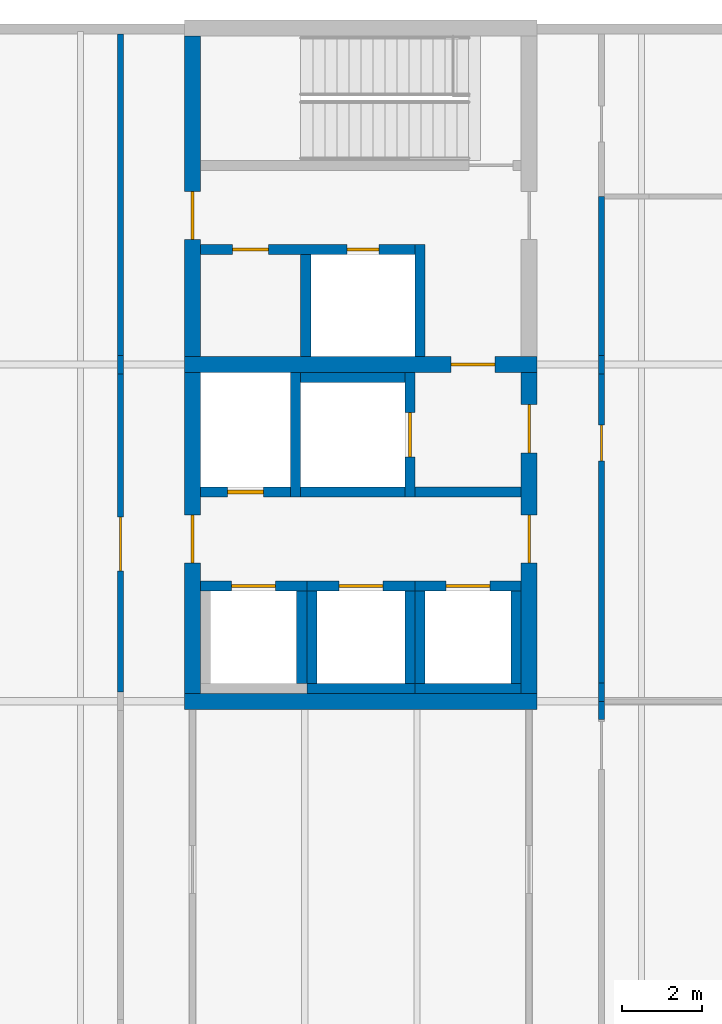
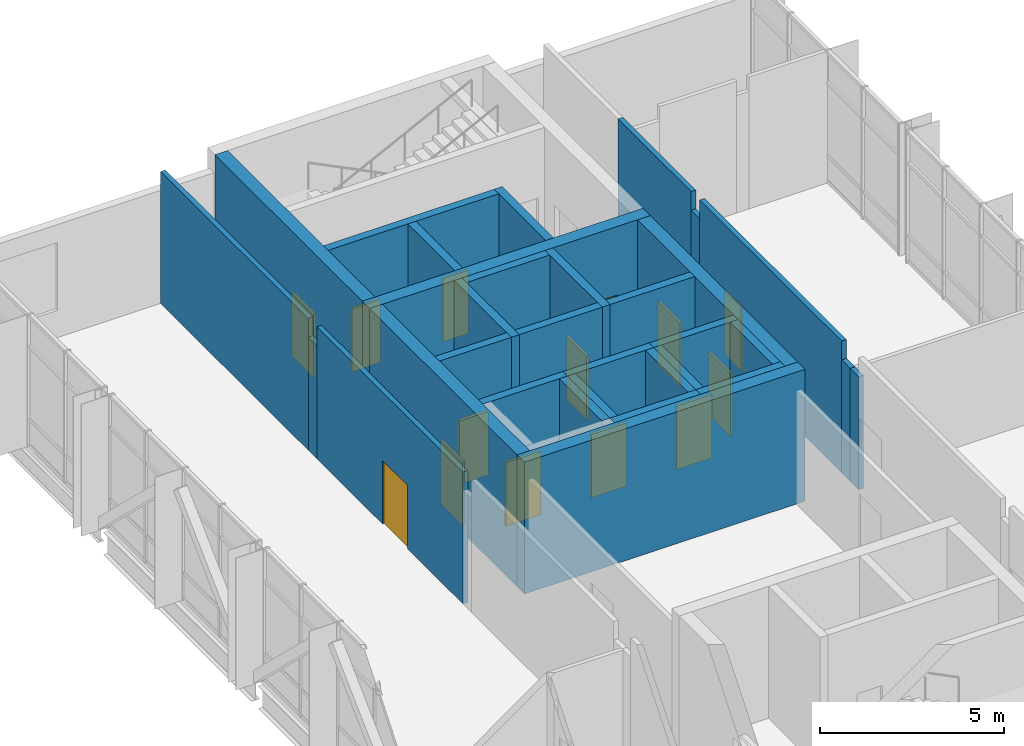
# One storey, part 10 of 14: 32 walls, 14 doors, 14 openings.
"""IFC4 building model written with IfcOpenShell, lengths in metres."""

from ifc_helpers import new_model, si_unit, direction, frame, frame_2d, origin, place, context, subcontext, project, spatial, rectangle, extrude, material, layer, layer_set, type_object, element, fill, save


model = new_model("IFC4")

# Units and contexts
model_context = context("Model", 3, precision=1e-05, world=origin(), true_north=direction((0.0, 1.0)))
body_context = subcontext(model_context, "Body", "Model", "MODEL_VIEW")
ifc_project = project(units=[si_unit("LENGTHUNIT", "METRE"), si_unit("AREAUNIT", "SQUARE_METRE"), si_unit("VOLUMEUNIT", "CUBIC_METRE"), si_unit("PLANEANGLEUNIT", "RADIAN"), si_unit("MASSUNIT", "GRAM", prefix="KILO")], contexts=[model_context])

# Site, building, storey
site_placement = place(None, origin())
site = spatial("IfcSite", under=ifc_project, at=site_placement, CompositionType="ELEMENT")
building_placement = place(site_placement, origin())
building = spatial("IfcBuilding", under=site, at=building_placement, Name="Hlaing Beacon Police Headquarters", CompositionType="ELEMENT")
storey_placement = place(building_placement, frame((0.0, 0.0, 27.89990234375)))
storey = spatial("IfcBuildingStorey", under=building, at=storey_placement, Name="L06", CompositionType="ELEMENT", Elevation=27.89990234375)

# Wall
ifc_material_1 = material(Name="Concrete C60/75", Category="concrete")
ifc_layer_1 = layer(ifc_material_1, 0.39990234375)
ifc_layer_set_1 = layer_set([ifc_layer_1], Name="Concrete C60/75")
wall_type_1 = type_object("IfcWallType", Name="Core shear wall 400", PredefinedType="SHEAR", material=ifc_layer_set_1)
wall_1_placement = place(storey_placement, frame((109.0, 50.39990234375, 0.0), z_axis=(0.0, 0.0, 1.0), x_axis=(1.0, 0.0, 0.0)))
element("IfcWall", 1, at=wall_1_placement, inside=storey, type_object=wall_type_1, Name="Core shear wall", PredefinedType="SHEAR", context=body_context, shape_type="SweptSolid", body=[
    extrude(rectangle(XDim=8.800048828125, YDim=0.39990234375, at=frame_2d((4.39990234375, 0.0))), origin(), (0.0, 0.0, 1.0), 4.3701171875),
])

# Wall, opening, door
wall_2_placement = place(storey_placement, frame((109.0, 58.800048828125, 0.0), z_axis=(0.0, 0.0, 1.0), x_axis=(1.0, 0.0, 0.0)))
wall_2 = element("IfcWall", 2, at=wall_2_placement, inside=storey, type_object=wall_type_1, Name="Core shear wall", PredefinedType="SHEAR", context=body_context, shape_type="SweptSolid", body=[
    extrude(rectangle(XDim=8.800048828125, YDim=0.39990234375, at=frame_2d((4.39990234375, 0.0))), origin(), (0.0, 0.0, 1.0), 4.3701171875),
])
opening_1_placement = place(wall_2_placement, frame((6.64990234375, 0.0, 0.0)))
opening_1 = element("IfcOpeningElement", 3, at=opening_1_placement, cuts=wall_2, Name="Opening L06-904", PredefinedType="OPENING", context=body_context, shape_type="SweptSolid", body=[
    extrude(rectangle(XDim=1.10009765625, YDim=2.10009765625, at=frame_2d((0.550048828125, 1.050048828125))), frame((0.0, 0.2099609375, 0.0), z_axis=(0.0, -1.0, 0.0), x_axis=(1.0, 0.0, 0.0)), (0.0, 0.0, 1.0), 0.419921875),
])
ifc_material_2 = material(Name="Steel fire door leaf", Category="steel")
ifc_layer_2 = layer(ifc_material_2, 0.070068359375)
ifc_layer_set_2 = layer_set([ifc_layer_2], Name="Steel fire door leaf")
door_type_1 = type_object("IfcDoorType", Name="Steel fire door FD60S 1100x2100", OperationType="SINGLE_SWING_LEFT", PredefinedType="DOOR", material=ifc_layer_set_2)
door_1_placement = place(opening_1_placement, origin())
door_1 = element("IfcDoor", 4, at=door_1_placement, inside=storey, type_object=door_type_1, Name="Door Firefighting Lobby Stair", OperationType="SINGLE_SWING_LEFT", OverallHeight=2.10009765625, OverallWidth=1.10009765625, PredefinedType="DOOR", context=body_context, shape_type="SweptSolid", body=[
    extrude(rectangle(XDim=1.10009765625, YDim=2.10009765625, at=frame_2d((0.550048828125, 1.050048828125))), frame((0.0, 0.03515625, 0.0), z_axis=(0.0, -1.0, 0.0), x_axis=(1.0, 0.0, 0.0)), (0.0, 0.0, 1.0), 0.070068359375),
])
fill(opening_1, door_1)

wall_3_placement = place(storey_placement, frame((109.199951171875, 50.60009765625, 0.0), z_axis=(0.0, 0.0, 1.0), x_axis=(0.0, 1.0, 0.0)))
wall_3 = element("IfcWall", 5, at=wall_3_placement, inside=storey, type_object=wall_type_1, Name="Core shear wall", PredefinedType="SHEAR", context=body_context, shape_type="SweptSolid", body=[
    extrude(rectangle(XDim=8.0, YDim=0.39990234375, at=frame_2d((4.0, 0.0))), origin(), (0.0, 0.0, 1.0), 4.3701171875),
])
opening_2_placement = place(wall_3_placement, frame((3.25, 0.0, 0.0)))
opening_2 = element("IfcOpeningElement", 6, at=opening_2_placement, cuts=wall_3, Name="Opening L06-901", PredefinedType="OPENING", context=body_context, shape_type="SweptSolid", body=[
    extrude(rectangle(XDim=1.199951171875, YDim=2.10009765625, at=frame_2d((0.60009765625, 1.050048828125))), frame((0.0, 0.2099609375, 0.0), z_axis=(0.0, -1.0, 0.0), x_axis=(1.0, 0.0, 0.0)), (0.0, 0.0, 1.0), 0.419921875),
])
ifc_material_3 = material(Name="Steel fire door leaf", Category="steel")
ifc_layer_3 = layer(ifc_material_3, 0.070068359375)
ifc_layer_set_3 = layer_set([ifc_layer_3], Name="Steel fire door leaf")
door_type_2 = type_object("IfcDoorType", Name="Steel fire door FD60S 1200x2100", OperationType="SINGLE_SWING_LEFT", PredefinedType="DOOR", material=ifc_layer_set_3)
door_2_placement = place(opening_2_placement, frame((1.199951171875, 0.0, 0.0), z_axis=(0.0, 0.0, 1.0), x_axis=(-1.0, 0.0, 0.0)))
door_2 = element("IfcDoor", 7, at=door_2_placement, inside=storey, type_object=door_type_2, Name="Door Lift Lobby Entry", OperationType="SINGLE_SWING_LEFT", OverallHeight=2.10009765625, OverallWidth=1.199951171875, PredefinedType="DOOR", context=body_context, shape_type="SweptSolid", body=[
    extrude(rectangle(XDim=1.199951171875, YDim=2.10009765625, at=frame_2d((0.599853515625, 1.050048828125))), frame((0.0, 0.034912109375, 0.0), z_axis=(0.0, -1.0, 0.0), x_axis=(1.0, 0.0, 0.0)), (0.0, 0.0, 1.0), 0.070068359375),
])
fill(opening_2, door_2)

# Wall, openings, doors
wall_4_placement = place(storey_placement, frame((117.60009765625, 50.60009765625, 0.0), z_axis=(0.0, 0.0, 1.0), x_axis=(0.0, 1.0, 0.0)))
wall_4 = element("IfcWall", 8, at=wall_4_placement, inside=storey, type_object=wall_type_1, Name="Core shear wall", PredefinedType="SHEAR", context=body_context, shape_type="SweptSolid", body=[
    extrude(rectangle(XDim=8.0, YDim=0.39990234375, at=frame_2d((4.0, 0.0))), origin(), (0.0, 0.0, 1.0), 4.3701171875),
])
opening_3_placement = place(wall_4_placement, frame((3.25, 0.0, 0.0)))
opening_3 = element("IfcOpeningElement", 9, at=opening_3_placement, cuts=wall_4, Name="Opening L06-902", PredefinedType="OPENING", context=body_context, shape_type="SweptSolid", body=[
    extrude(rectangle(XDim=1.199951171875, YDim=2.10009765625, at=frame_2d((0.60009765625, 1.050048828125))), frame((0.0, 0.2099609375, 0.0), z_axis=(0.0, -1.0, 0.0), x_axis=(1.0, 0.0, 0.0)), (0.0, 0.0, 1.0), 0.419921875),
])
opening_4_placement = place(wall_4_placement, frame((6.0, 0.0, 0.0)))
opening_4 = element("IfcOpeningElement", 10, at=opening_4_placement, cuts=wall_4, Name="Opening L06-903", PredefinedType="OPENING", context=body_context, shape_type="SweptSolid", body=[
    extrude(rectangle(XDim=1.199951171875, YDim=2.10009765625, at=frame_2d((0.60009765625, 1.050048828125))), frame((0.0, 0.2099609375, 0.0), z_axis=(0.0, -1.0, 0.0), x_axis=(1.0, 0.0, 0.0)), (0.0, 0.0, 1.0), 0.419921875),
])
door_3_placement = place(opening_3_placement, origin())
door_3 = element("IfcDoor", 11, at=door_3_placement, inside=storey, type_object=door_type_2, Name="Door Lift Lobby Entry", OperationType="SINGLE_SWING_RIGHT", OverallHeight=2.10009765625, OverallWidth=1.199951171875, PredefinedType="DOOR", context=body_context, shape_type="SweptSolid", body=[
    extrude(rectangle(XDim=1.199951171875, YDim=2.10009765625, at=frame_2d((0.60009765625, 1.050048828125))), frame((0.0, 0.03515625, 0.0), z_axis=(0.0, -1.0, 0.0), x_axis=(1.0, 0.0, 0.0)), (0.0, 0.0, 1.0), 0.070068359375),
])
fill(opening_3, door_3)
door_4_placement = place(opening_4_placement, origin())
door_4 = element("IfcDoor", 12, at=door_4_placement, inside=storey, type_object=door_type_2, Name="Door Firefighting Lobby Entry", OperationType="SINGLE_SWING_LEFT", OverallHeight=2.10009765625, OverallWidth=1.199951171875, PredefinedType="DOOR", context=body_context, shape_type="SweptSolid", body=[
    extrude(rectangle(XDim=1.199951171875, YDim=2.10009765625, at=frame_2d((0.60009765625, 1.050048828125))), frame((0.0, 0.03515625, 0.0), z_axis=(0.0, -1.0, 0.0), x_axis=(1.0, 0.0, 0.0)), (0.0, 0.0, 1.0), 0.070068359375),
])
fill(opening_4, door_4)

# Wall, opening, door
wall_5_placement = place(storey_placement, frame((109.199951171875, 59.0, 0.0), z_axis=(0.0, 0.0, 1.0), x_axis=(0.0, 1.0, 0.0)))
wall_5 = element("IfcWall", 13, at=wall_5_placement, inside=storey, type_object=wall_type_1, Name="Core shear wall", PredefinedType="SHEAR", context=body_context, shape_type="SweptSolid", body=[
    extrude(rectangle(XDim=8.0, YDim=0.39990234375, at=frame_2d((4.0, 0.0))), origin(), (0.0, 0.0, 1.0), 4.3701171875),
])
opening_5_placement = place(wall_5_placement, frame((2.925048828125, 0.0, 0.0)))
opening_5 = element("IfcOpeningElement", 14, at=opening_5_placement, cuts=wall_5, Name="Opening L06-907", PredefinedType="OPENING", context=body_context, shape_type="SweptSolid", body=[
    extrude(rectangle(XDim=1.199951171875, YDim=2.10009765625, at=frame_2d((0.60009765625, 1.050048828125))), frame((0.0, 0.2099609375, 0.0), z_axis=(0.0, -1.0, 0.0), x_axis=(1.0, 0.0, 0.0)), (0.0, 0.0, 1.0), 0.419921875),
])
door_5_placement = place(opening_5_placement, frame((1.199951171875, 0.0, 0.0), z_axis=(0.0, 0.0, 1.0), x_axis=(-1.0, 0.0, 0.0)))
door_5 = element("IfcDoor", 15, at=door_5_placement, inside=storey, type_object=door_type_2, Name="Door Stair Lobby ST-M Entry", OperationType="SINGLE_SWING_LEFT", OverallHeight=2.10009765625, OverallWidth=1.199951171875, PredefinedType="DOOR", context=body_context, shape_type="SweptSolid", body=[
    extrude(rectangle(XDim=1.199951171875, YDim=2.10009765625, at=frame_2d((0.599853515625, 1.050048828125))), frame((0.0, 0.034912109375, 0.0), z_axis=(0.0, -1.0, 0.0), x_axis=(1.0, 0.0, 0.0)), (0.0, 0.0, 1.0), 0.070068359375),
])
fill(opening_5, door_5)

# Walls
ifc_material_4 = material(Name="Gypsum board partition")
ifc_layer_4 = layer(ifc_material_4, 0.14990234375)
ifc_layer_set_4 = layer_set([ifc_layer_4], Name="Gypsum board partition")
wall_type_2 = type_object("IfcWallType", Name="Corridor wall EI 30 150", PredefinedType="PARTITIONING", material=ifc_layer_set_4)
wall_6_placement = place(storey_placement, frame((119.39990234375, 49.93994140625, 0.0), z_axis=(0.0, 0.0, 1.0), x_axis=(0.0, 1.0, 0.0)))
element("IfcWall", 16, at=wall_6_placement, inside=storey, type_object=wall_type_2, Name="Corridor wall EI 30 150", PredefinedType="PARTITIONING", context=body_context, shape_type="SweptSolid", body=[
    extrude(rectangle(XDim=0.4599609375, YDim=0.14990234375, at=frame_2d((0.22998046875, 0.0))), origin(), (0.0, 0.0, 1.0), 3.74609375),
])
wall_7_placement = place(storey_placement, frame((119.39990234375, 50.39990234375, 0.0), z_axis=(0.0, 0.0, 1.0), x_axis=(0.0, 1.0, 0.0)))
element("IfcWall", 17, at=wall_7_placement, inside=storey, type_object=wall_type_2, Name="Corridor wall EI 30 150", PredefinedType="PARTITIONING", context=body_context, shape_type="SweptSolid", body=[
    extrude(rectangle(XDim=0.460205078125, YDim=0.14990234375, at=frame_2d((0.22998046875, 0.0))), origin(), (0.0, 0.0, 1.0), 3.74609375),
])

# Wall, opening, door
wall_8_placement = place(storey_placement, frame((119.39990234375, 50.860107421875, 0.0), z_axis=(0.0, 0.0, 1.0), x_axis=(0.0, 1.0, 0.0)))
wall_8 = element("IfcWall", 18, at=wall_8_placement, inside=storey, type_object=wall_type_2, Name="Corridor wall EI 30 150", PredefinedType="PARTITIONING", context=body_context, shape_type="SweptSolid", body=[
    extrude(rectangle(XDim=7.7099609375, YDim=0.14990234375, at=frame_2d((3.85498046875, 0.0))), origin(), (0.0, 0.0, 1.0), 4.3701171875),
])
opening_6_placement = place(wall_8_placement, frame((5.5400390625, 0.0, 0.0)))
opening_6 = element("IfcOpeningElement", 19, at=opening_6_placement, cuts=wall_8, Name="Opening L06-003", PredefinedType="OPENING", context=body_context, shape_type="SweptSolid", body=[
    extrude(rectangle(XDim=0.89990234375, YDim=2.10009765625, at=frame_2d((0.449951171875, 1.050048828125))), frame((0.0, 0.0849609375, 0.0), z_axis=(0.0, -1.0, 0.0), x_axis=(1.0, 0.0, 0.0)), (0.0, 0.0, 1.0), 0.169921875),
])
ifc_material_5 = material(Name="Hardwood door leaf", Category="wood")
ifc_layer_5 = layer(ifc_material_5, 0.050048828125)
ifc_layer_set_5 = layer_set([ifc_layer_5], Name="Hardwood door leaf")
door_type_3 = type_object("IfcDoorType", Name="Fire door FD30S 900x2100", OperationType="SINGLE_SWING_LEFT", PredefinedType="DOOR", material=ifc_layer_set_5)
door_6_placement = place(opening_6_placement, frame((0.89990234375, 0.0, 0.0), z_axis=(0.0, 0.0, 1.0), x_axis=(-1.0, 0.0, 0.0)))
door_6 = element("IfcDoor", 20, at=door_6_placement, inside=storey, type_object=door_type_3, Name="Door Covert Operations Office", OperationType="SINGLE_SWING_LEFT", OverallHeight=2.10009765625, OverallWidth=0.89990234375, PredefinedType="DOOR", context=body_context, shape_type="SweptSolid", body=[
    extrude(rectangle(XDim=0.89990234375, YDim=2.10009765625, at=frame_2d((0.449951171875, 1.050048828125))), frame((0.0, 0.025146484375, 0.0), z_axis=(0.0, -1.0, 0.0), x_axis=(1.0, 0.0, 0.0)), (0.0, 0.0, 1.0), 0.050048828125),
])
fill(opening_6, door_6)

# Walls
wall_9_placement = place(storey_placement, frame((119.39990234375, 58.570068359375, 0.0), z_axis=(0.0, 0.0, 1.0), x_axis=(0.0, 1.0, 0.0)))
element("IfcWall", 21, at=wall_9_placement, inside=storey, type_object=wall_type_2, Name="Corridor wall EI 30 150", PredefinedType="PARTITIONING", context=body_context, shape_type="SweptSolid", body=[
    extrude(rectangle(XDim=0.4599609375, YDim=0.14990234375, at=frame_2d((0.22998046875, 0.0))), origin(), (0.0, 0.0, 1.0), 3.74609375),
])
wall_10_placement = place(storey_placement, frame((119.39990234375, 59.030029296875, 0.0), z_axis=(0.0, 0.0, 1.0), x_axis=(0.0, 1.0, 0.0)))
element("IfcWall", 22, at=wall_10_placement, inside=storey, type_object=wall_type_2, Name="Corridor wall EI 30 150", PredefinedType="PARTITIONING", context=body_context, shape_type="SweptSolid", body=[
    extrude(rectangle(XDim=3.969970703125, YDim=0.14990234375, at=frame_2d((1.98486328125, 0.0))), origin(), (0.0, 0.0, 1.0), 4.3701171875),
])

# Wall, opening, door
wall_11_placement = place(storey_placement, frame((107.39990234375, 50.6298828125, 0.0), z_axis=(0.0, 0.0, 1.0), x_axis=(0.0, 1.0, 0.0)))
wall_11 = element("IfcWall", 23, at=wall_11_placement, inside=storey, type_object=wall_type_2, Name="Corridor wall EI 30 150", PredefinedType="PARTITIONING", context=body_context, shape_type="SweptSolid", body=[
    extrude(rectangle(XDim=7.940185546875, YDim=0.14990234375, at=frame_2d((3.97021484375, 0.0))), origin(), (0.0, 0.0, 1.0), 4.3701171875),
])
opening_7_placement = place(wall_11_placement, frame((3.02001953125, 0.0, 0.0)))
opening_7 = element("IfcOpeningElement", 24, at=opening_7_placement, cuts=wall_11, Name="Opening L06-011", PredefinedType="OPENING", context=body_context, shape_type="SweptSolid", body=[
    extrude(rectangle(XDim=1.35009765625, YDim=2.10009765625, at=frame_2d((0.675048828125, 1.050048828125))), frame((0.0, 0.0849609375, 0.0), z_axis=(0.0, -1.0, 0.0), x_axis=(1.0, 0.0, 0.0)), (0.0, 0.0, 1.0), 0.169921875),
])
ifc_material_6 = material(Name="Hardwood door leaf", Category="wood")
ifc_layer_6 = layer(ifc_material_6, 0.050048828125)
ifc_layer_set_6 = layer_set([ifc_layer_6], Name="Hardwood door leaf")
door_type_4 = type_object("IfcDoorType", Name="Fire leaf-and-a-half door FD30S 1350x2100", OperationType="DOUBLE_DOOR_SINGLE_SWING", PredefinedType="DOOR", material=ifc_layer_set_6)
door_7_placement = place(opening_7_placement, origin())
door_7 = element("IfcDoor", 25, at=door_7_placement, inside=storey, type_object=door_type_4, Name="Door Intelligence Analysis Room", OperationType="DOUBLE_DOOR_SINGLE_SWING", OverallHeight=2.10009765625, OverallWidth=1.35009765625, PredefinedType="DOOR", context=body_context, shape_type="SweptSolid", body=[
    extrude(rectangle(XDim=1.35009765625, YDim=2.10009765625, at=frame_2d((0.675048828125, 1.050048828125))), frame((0.0, 0.02490234375, 0.0), z_axis=(0.0, -1.0, 0.0), x_axis=(1.0, 0.0, 0.0)), (0.0, 0.0, 1.0), 0.050048828125),
])
fill(opening_7, door_7)

# Walls
wall_12_placement = place(storey_placement, frame((107.39990234375, 58.570068359375, 0.0), z_axis=(0.0, 0.0, 1.0), x_axis=(0.0, 1.0, 0.0)))
element("IfcWall", 26, at=wall_12_placement, inside=storey, type_object=wall_type_2, Name="Corridor wall EI 30 150", PredefinedType="PARTITIONING", context=body_context, shape_type="SweptSolid", body=[
    extrude(rectangle(XDim=0.4599609375, YDim=0.14990234375, at=frame_2d((0.22998046875, 0.0))), origin(), (0.0, 0.0, 1.0), 3.74609375),
])
wall_13_placement = place(storey_placement, frame((107.39990234375, 59.030029296875, 0.0), z_axis=(0.0, 0.0, 1.0), x_axis=(0.0, 1.0, 0.0)))
element("IfcWall", 27, at=wall_13_placement, inside=storey, type_object=wall_type_2, Name="Corridor wall EI 30 150", PredefinedType="PARTITIONING", context=body_context, shape_type="SweptSolid", body=[
    extrude(rectangle(XDim=8.02001953125, YDim=0.14990234375, at=frame_2d((4.010009765625, 0.0))), origin(), (0.0, 0.0, 1.0), 4.3701171875),
])

# Wall, opening, door
ifc_material_7 = material(Name="Concrete C40/50", Category="concrete")
ifc_layer_7 = layer(ifc_material_7, 0.25)
ifc_layer_set_7 = layer_set([ifc_layer_7], Name="Concrete C40/50")
wall_type_3 = type_object("IfcWallType", Name="Shaft wall 250", PredefinedType="SOLIDWALL", material=ifc_layer_set_7)
wall_14_placement = place(storey_placement, frame((109.39990234375, 55.625, 0.0), z_axis=(0.0, 0.0, 1.0), x_axis=(1.0, 0.0, 0.0)))
wall_14 = element("IfcWall", 28, at=wall_14_placement, inside=storey, type_object=wall_type_3, Name="Lobby wall", PredefinedType="SOLIDWALL", context=body_context, shape_type="SweptSolid", body=[
    extrude(rectangle(XDim=2.25, YDim=0.25, at=frame_2d((1.125, 0.0))), origin(), (0.0, 0.0, 1.0), 4.3701171875),
])
opening_8_placement = place(wall_14_placement, frame((0.675048828125, 0.0, 0.0)))
opening_8 = element("IfcOpeningElement", 29, at=opening_8_placement, cuts=wall_14, Name="Opening L06-905", PredefinedType="OPENING", context=body_context, shape_type="SweptSolid", body=[
    extrude(rectangle(XDim=0.89990234375, YDim=2.10009765625, at=frame_2d((0.449951171875, 1.050048828125))), frame((0.0, 0.135009765625, 0.0), z_axis=(0.0, -1.0, 0.0), x_axis=(1.0, 0.0, 0.0)), (0.0, 0.0, 1.0), 0.27001953125),
])
ifc_material_8 = material(Name="Steel fire door leaf", Category="steel")
ifc_layer_8 = layer(ifc_material_8, 0.10009765625)
ifc_layer_set_8 = layer_set([ifc_layer_8], Name="Steel fire door leaf")
door_type_5 = type_object("IfcDoorType", Name="Steel fire door FD120 900x2100", OperationType="SINGLE_SWING_LEFT", PredefinedType="DOOR", material=ifc_layer_set_8)
door_8_placement = place(opening_8_placement, origin())
door_8 = element("IfcDoor", 30, at=door_8_placement, inside=storey, type_object=door_type_5, Name="Door Electrical Riser Room", OperationType="SINGLE_SWING_LEFT", OverallHeight=2.10009765625, OverallWidth=0.89990234375, PredefinedType="DOOR", context=body_context, shape_type="SweptSolid", body=[
    extrude(rectangle(XDim=0.89990234375, YDim=2.10009765625, at=frame_2d((0.449951171875, 1.050048828125))), frame((0.0, 0.050048828125, 0.0), z_axis=(0.0, -1.0, 0.0), x_axis=(1.0, 0.0, 0.0)), (0.0, 0.0, 1.0), 0.10009765625),
])
fill(opening_8, door_8)

# Walls
wall_15_placement = place(storey_placement, frame((114.75, 55.625, 0.0), z_axis=(0.0, 0.0, 1.0), x_axis=(1.0, 0.0, 0.0)))
element("IfcWall", 31, at=wall_15_placement, inside=storey, type_object=wall_type_3, Name="Firefighting lobby wall", PredefinedType="SOLIDWALL", context=body_context, shape_type="SweptSolid", body=[
    extrude(rectangle(XDim=2.64990234375, YDim=0.25, at=frame_2d((1.324951171875, 0.0))), origin(), (0.0, 0.0, 1.0), 4.3701171875),
])
wall_16_placement = place(storey_placement, frame((114.875, 61.800048828125, 0.0), z_axis=(0.0, 0.0, 1.0), x_axis=(0.0, -1.0, 0.0)))
element("IfcWall", 32, at=wall_16_placement, inside=storey, type_object=wall_type_3, Name="Lobby wall", PredefinedType="SOLIDWALL", context=body_context, shape_type="SweptSolid", body=[
    extrude(rectangle(XDim=2.800048828125, YDim=0.25, at=frame_2d((1.39990234375, 0.0))), origin(), (0.0, 0.0, 1.0), 4.3701171875),
])

# Wall, openings, doors
wall_17_placement = place(storey_placement, frame((114.75, 61.675048828125, 0.0), z_axis=(0.0, 0.0, 1.0), x_axis=(-1.0, 0.0, 0.0)))
wall_17 = element("IfcWall", 33, at=wall_17_placement, inside=storey, type_object=wall_type_3, Name="Lobby wall", PredefinedType="SOLIDWALL", context=body_context, shape_type="SweptSolid", body=[
    extrude(rectangle(XDim=5.35009765625, YDim=0.25, at=frame_2d((2.675048828125, 0.0))), origin(), (0.0, 0.0, 1.0), 4.3701171875),
])
opening_9_placement = place(wall_17_placement, frame((3.64990234375, 0.0, 0.0)))
opening_9 = element("IfcOpeningElement", 34, at=opening_9_placement, cuts=wall_17, Name="Opening L06-906", PredefinedType="OPENING", context=body_context, shape_type="SweptSolid", body=[
    extrude(rectangle(XDim=0.89990234375, YDim=2.10009765625, at=frame_2d((0.449951171875, 1.050048828125))), frame((0.0, 0.135009765625, 0.0), z_axis=(0.0, -1.0, 0.0), x_axis=(1.0, 0.0, 0.0)), (0.0, 0.0, 1.0), 0.27001953125),
])
opening_10_placement = place(wall_17_placement, frame((0.89990234375, 0.0, 0.0)))
opening_10 = element("IfcOpeningElement", 35, at=opening_10_placement, cuts=wall_17, Name="Opening L06-909", PredefinedType="OPENING", context=body_context, shape_type="SweptSolid", body=[
    extrude(rectangle(XDim=0.800048828125, YDim=2.10009765625, at=frame_2d((0.39990234375, 1.050048828125))), frame((0.0, 0.135009765625, 0.0), z_axis=(0.0, -1.0, 0.0), x_axis=(1.0, 0.0, 0.0)), (0.0, 0.0, 1.0), 0.27001953125),
])
ifc_material_9 = material(Name="Steel fire door leaf", Category="steel")
ifc_layer_9 = layer(ifc_material_9, 0.070068359375)
ifc_layer_set_9 = layer_set([ifc_layer_9], Name="Steel fire door leaf")
door_type_6 = type_object("IfcDoorType", Name="Steel fire door FD60 800x2100", OperationType="SINGLE_SWING_LEFT", PredefinedType="DOOR", material=ifc_layer_set_9)
door_9_placement = place(opening_10_placement, origin())
door_9 = element("IfcDoor", 36, at=door_9_placement, inside=storey, type_object=door_type_6, Name="Door Services Riser", OperationType="SINGLE_SWING_RIGHT", OverallHeight=2.10009765625, OverallWidth=0.800048828125, PredefinedType="DOOR", context=body_context, shape_type="SweptSolid", body=[
    extrude(rectangle(XDim=0.800048828125, YDim=2.10009765625, at=frame_2d((0.39990234375, 1.050048828125))), frame((0.0, 0.03515625, 0.0), z_axis=(0.0, -1.0, 0.0), x_axis=(1.0, 0.0, 0.0)), (0.0, 0.0, 1.0), 0.070068359375),
])
fill(opening_10, door_9)
ifc_material_10 = material(Name="Steel fire door leaf", Category="steel")
ifc_layer_10 = layer(ifc_material_10, 0.070068359375)
ifc_layer_set_10 = layer_set([ifc_layer_10], Name="Steel fire door leaf")
door_type_7 = type_object("IfcDoorType", Name="Steel fire door FD60 900x2100", OperationType="SINGLE_SWING_LEFT", PredefinedType="DOOR", material=ifc_layer_set_10)
door_10_placement = place(opening_9_placement, origin())
door_10 = element("IfcDoor", 37, at=door_10_placement, inside=storey, type_object=door_type_7, Name="Door Cleaners' Store", OperationType="SINGLE_SWING_LEFT", OverallHeight=2.10009765625, OverallWidth=0.89990234375, PredefinedType="DOOR", context=body_context, shape_type="SweptSolid", body=[
    extrude(rectangle(XDim=0.89990234375, YDim=2.10009765625, at=frame_2d((0.449951171875, 1.050048828125))), frame((0.0, 0.03515625, 0.0), z_axis=(0.0, -1.0, 0.0), x_axis=(1.0, 0.0, 0.0)), (0.0, 0.0, 1.0), 0.070068359375),
])
fill(opening_9, door_10)

# Wall
wall_18_placement = place(storey_placement, frame((112.02490234375, 61.550048828125, 0.0), z_axis=(0.0, 0.0, 1.0), x_axis=(0.0, -1.0, 0.0)))
element("IfcWall", 38, at=wall_18_placement, inside=storey, type_object=wall_type_3, Name="Riser wall", PredefinedType="SOLIDWALL", context=body_context, shape_type="SweptSolid", body=[
    extrude(rectangle(XDim=2.550048828125, YDim=0.25, at=frame_2d((1.27490234375, 0.0))), origin(), (0.0, 0.0, 1.0), 4.3701171875),
])

# Wall, opening, door
wall_19_placement = place(storey_placement, frame((114.625, 55.5, 0.0), z_axis=(0.0, 0.0, 1.0), x_axis=(0.0, 1.0, 0.0)))
wall_19 = element("IfcWall", 39, at=wall_19_placement, inside=storey, type_object=wall_type_3, Name="Lift shaft wall FL1", PredefinedType="SOLIDWALL", context=body_context, shape_type="SweptSolid", body=[
    extrude(rectangle(XDim=3.10009765625, YDim=0.25, at=frame_2d((1.550048828125, 0.0))), origin(), (0.0, 0.0, 1.0), 4.3701171875),
])
opening_11_placement = place(wall_19_placement, frame((1.0, 0.0, 0.0)))
opening_11 = element("IfcOpeningElement", 40, at=opening_11_placement, cuts=wall_19, Name="Opening LD-FL1-L06", PredefinedType="OPENING", context=body_context, shape_type="SweptSolid", body=[
    extrude(rectangle(XDim=1.10009765625, YDim=2.10009765625, at=frame_2d((0.550048828125, 1.050048828125))), frame((0.0, 0.135009765625, 0.0), z_axis=(0.0, -1.0, 0.0), x_axis=(1.0, 0.0, 0.0)), (0.0, 0.0, 1.0), 0.27001953125),
])
ifc_material_11 = material(Name="Stainless steel lift landing door", Category="steel")
ifc_layer_11 = layer(ifc_material_11, 0.06005859375)
ifc_layer_set_11 = layer_set([ifc_layer_11], Name="Stainless steel lift landing door")
door_type_8 = type_object("IfcDoorType", Name="Lift landing door 1100x2100", OperationType="DOUBLE_DOOR_SLIDING", PredefinedType="DOOR", material=ifc_layer_set_11)
door_11_placement = place(opening_11_placement, origin())
door_11 = element("IfcDoor", 41, at=door_11_placement, inside=storey, type_object=door_type_8, Name="Landing door FL1 L06", OperationType="DOUBLE_DOOR_SLIDING", OverallHeight=2.10009765625, OverallWidth=1.10009765625, PredefinedType="DOOR", context=body_context, shape_type="SweptSolid", body=[
    extrude(rectangle(XDim=1.10009765625, YDim=2.10009765625, at=frame_2d((0.550048828125, 1.050048828125))), frame((0.0, 0.0400390625, 0.0), z_axis=(0.0, -1.0, 0.0), x_axis=(1.0, 0.0, 0.0)), (0.0, 0.0, 1.0), 0.080078125),
])
fill(opening_11, door_11)

# Walls
for number, where, z_axis, x_axis, name in (
    (42, (111.89990234375, 58.47509765625, 0.0), (0.0, 0.0, 1.0), (1.0, 0.0, 0.0), "Lift shaft wall FL1"),
    (43, (111.89990234375, 55.625, 0.0), (0.0, 0.0, 1.0), (1.0, 0.0, 0.0), "Lift shaft wall FL1"),
):
    element("IfcWall", number, at=place(storey_placement, frame(where, z_axis=z_axis, x_axis=x_axis)), inside=storey, type_object=wall_type_3, Name=name, PredefinedType="SOLIDWALL", context=body_context, shape_type="SweptSolid", body=[
        extrude(rectangle(XDim=2.60009765625, YDim=0.25, at=frame_2d((1.300048828125, 0.0))), origin(), (0.0, 0.0, 1.0), 4.3701171875),
    ])
wall_20_placement = place(storey_placement, frame((111.77490234375, 55.5, 0.0), z_axis=(0.0, 0.0, 1.0), x_axis=(0.0, 1.0, 0.0)))
element("IfcWall", 44, at=wall_20_placement, inside=storey, type_object=wall_type_3, Name="Lift shaft wall FL1", PredefinedType="SOLIDWALL", context=body_context, shape_type="SweptSolid", body=[
    extrude(rectangle(XDim=3.10009765625, YDim=0.25, at=frame_2d((1.550048828125, 0.0))), origin(), (0.0, 0.0, 1.0), 4.3701171875),
])
wall_21_placement = place(storey_placement, frame((111.925048828125, 50.85009765625, 0.0), z_axis=(0.0, 0.0, 1.0), x_axis=(0.0, 1.0, 0.0)))
element("IfcWall", 45, at=wall_21_placement, inside=storey, type_object=wall_type_3, Name="Lift shaft wall PL7", PredefinedType="SOLIDWALL", context=body_context, shape_type="SweptSolid", body=[
    extrude(rectangle(XDim=2.2998046875, YDim=0.25, at=frame_2d((1.14990234375, 0.0))), origin(), (0.0, 0.0, 1.0), 4.3701171875),
])

# Wall, opening, door
wall_22_placement = place(storey_placement, frame((109.39990234375, 53.27490234375, 0.0), z_axis=(0.0, 0.0, 1.0), x_axis=(1.0, 0.0, 0.0)))
wall_22 = element("IfcWall", 46, at=wall_22_placement, inside=storey, type_object=wall_type_3, Name="Lift shaft wall PL7", PredefinedType="SOLIDWALL", context=body_context, shape_type="SweptSolid", body=[
    extrude(rectangle(XDim=2.650146484375, YDim=0.25, at=frame_2d((1.3251953125, 0.0))), origin(), (0.0, 0.0, 1.0), 4.3701171875),
])
opening_12_placement = place(wall_22_placement, frame((0.77490234375, 0.0, 0.0)))
opening_12 = element("IfcOpeningElement", 47, at=opening_12_placement, cuts=wall_22, Name="Opening LD-PL7-L06", PredefinedType="OPENING", context=body_context, shape_type="SweptSolid", body=[
    extrude(rectangle(XDim=1.10009765625, YDim=2.10009765625, at=frame_2d((0.550048828125, 1.050048828125))), frame((0.0, 0.135009765625, 0.0), z_axis=(0.0, -1.0, 0.0), x_axis=(1.0, 0.0, 0.0)), (0.0, 0.0, 1.0), 0.27001953125),
])
door_12_placement = place(opening_12_placement, origin())
door_12 = element("IfcDoor", 48, at=door_12_placement, inside=storey, type_object=door_type_8, Name="Landing door PL7 L06", OperationType="DOUBLE_DOOR_SLIDING", OverallHeight=2.10009765625, OverallWidth=1.10009765625, PredefinedType="DOOR", context=body_context, shape_type="SweptSolid", body=[
    extrude(rectangle(XDim=1.10009765625, YDim=2.10009765625, at=frame_2d((0.550048828125, 1.050048828125))), frame((0.0, 0.0400390625, 0.0), z_axis=(0.0, -1.0, 0.0), x_axis=(1.0, 0.0, 0.0)), (0.0, 0.0, 1.0), 0.080078125),
])
fill(opening_12, door_12)

# Wall
wall_23_placement = place(storey_placement, frame((114.625, 50.85009765625, 0.0), z_axis=(0.0, 0.0, 1.0), x_axis=(0.0, 1.0, 0.0)))
element("IfcWall", 49, at=wall_23_placement, inside=storey, type_object=wall_type_3, Name="Lift shaft wall PL8", PredefinedType="SOLIDWALL", context=body_context, shape_type="SweptSolid", body=[
    extrude(rectangle(XDim=2.2998046875, YDim=0.25, at=frame_2d((1.14990234375, 0.0))), origin(), (0.0, 0.0, 1.0), 4.3701171875),
])

# Wall, opening, door
wall_24_placement = place(storey_placement, frame((112.050048828125, 53.27490234375, 0.0), z_axis=(0.0, 0.0, 1.0), x_axis=(1.0, 0.0, 0.0)))
wall_24 = element("IfcWall", 50, at=wall_24_placement, inside=storey, type_object=wall_type_3, Name="Lift shaft wall PL8", PredefinedType="SOLIDWALL", context=body_context, shape_type="SweptSolid", body=[
    extrude(rectangle(XDim=2.699951171875, YDim=0.25, at=frame_2d((1.35009765625, 0.0))), origin(), (0.0, 0.0, 1.0), 4.3701171875),
])
opening_13_placement = place(wall_24_placement, frame((0.800048828125, 0.0, 0.0)))
opening_13 = element("IfcOpeningElement", 51, at=opening_13_placement, cuts=wall_24, Name="Opening LD-PL8-L06", PredefinedType="OPENING", context=body_context, shape_type="SweptSolid", body=[
    extrude(rectangle(XDim=1.10009765625, YDim=2.10009765625, at=frame_2d((0.550048828125, 1.050048828125))), frame((0.0, 0.135009765625, 0.0), z_axis=(0.0, -1.0, 0.0), x_axis=(1.0, 0.0, 0.0)), (0.0, 0.0, 1.0), 0.27001953125),
])
door_13_placement = place(opening_13_placement, origin())
door_13 = element("IfcDoor", 52, at=door_13_placement, inside=storey, type_object=door_type_8, Name="Landing door PL8 L06", OperationType="DOUBLE_DOOR_SLIDING", OverallHeight=2.10009765625, OverallWidth=1.10009765625, PredefinedType="DOOR", context=body_context, shape_type="SweptSolid", body=[
    extrude(rectangle(XDim=1.10009765625, YDim=2.10009765625, at=frame_2d((0.550048828125, 1.050048828125))), frame((0.0, 0.0400390625, 0.0), z_axis=(0.0, -1.0, 0.0), x_axis=(1.0, 0.0, 0.0)), (0.0, 0.0, 1.0), 0.080078125),
])
fill(opening_13, door_13)

# Walls
wall_25_placement = place(storey_placement, frame((112.050048828125, 50.72509765625, 0.0), z_axis=(0.0, 0.0, 1.0), x_axis=(1.0, 0.0, 0.0)))
element("IfcWall", 53, at=wall_25_placement, inside=storey, type_object=wall_type_3, Name="Lift shaft wall PL8", PredefinedType="SOLIDWALL", context=body_context, shape_type="SweptSolid", body=[
    extrude(rectangle(XDim=2.699951171875, YDim=0.25, at=frame_2d((1.35009765625, 0.0))), origin(), (0.0, 0.0, 1.0), 4.3701171875),
])
for number, where, z_axis, x_axis, name in (
    (54, (112.175048828125, 50.85009765625, 0.0), (0.0, 0.0, 1.0), (0.0, 1.0, 0.0), "Lift shaft wall PL8"),
    (55, (117.27490234375, 50.85009765625, 0.0), (0.0, 0.0, 1.0), (0.0, 1.0, 0.0), "Lift shaft wall PL9"),
):
    element("IfcWall", number, at=place(storey_placement, frame(where, z_axis=z_axis, x_axis=x_axis)), inside=storey, type_object=wall_type_3, Name=name, PredefinedType="SOLIDWALL", context=body_context, shape_type="SweptSolid", body=[
        extrude(rectangle(XDim=2.2998046875, YDim=0.25, at=frame_2d((1.14990234375, 0.0))), origin(), (0.0, 0.0, 1.0), 4.3701171875),
    ])

# Wall, opening, door
wall_26_placement = place(storey_placement, frame((114.75, 53.27490234375, 0.0), z_axis=(0.0, 0.0, 1.0), x_axis=(1.0, 0.0, 0.0)))
wall_26 = element("IfcWall", 56, at=wall_26_placement, inside=storey, type_object=wall_type_3, Name="Lift shaft wall PL9", PredefinedType="SOLIDWALL", context=body_context, shape_type="SweptSolid", body=[
    extrude(rectangle(XDim=2.64990234375, YDim=0.25, at=frame_2d((1.324951171875, 0.0))), origin(), (0.0, 0.0, 1.0), 4.3701171875),
])
opening_14_placement = place(wall_26_placement, frame((0.77490234375, 0.0, 0.0)))
opening_14 = element("IfcOpeningElement", 57, at=opening_14_placement, cuts=wall_26, Name="Opening LD-PL9-L06", PredefinedType="OPENING", context=body_context, shape_type="SweptSolid", body=[
    extrude(rectangle(XDim=1.10009765625, YDim=2.10009765625, at=frame_2d((0.550048828125, 1.050048828125))), frame((0.0, 0.135009765625, 0.0), z_axis=(0.0, -1.0, 0.0), x_axis=(1.0, 0.0, 0.0)), (0.0, 0.0, 1.0), 0.27001953125),
])
door_14_placement = place(opening_14_placement, origin())
door_14 = element("IfcDoor", 58, at=door_14_placement, inside=storey, type_object=door_type_8, Name="Landing door PL9 L06", OperationType="DOUBLE_DOOR_SLIDING", OverallHeight=2.10009765625, OverallWidth=1.10009765625, PredefinedType="DOOR", context=body_context, shape_type="SweptSolid", body=[
    extrude(rectangle(XDim=1.10009765625, YDim=2.10009765625, at=frame_2d((0.550048828125, 1.050048828125))), frame((0.0, 0.0400390625, 0.0), z_axis=(0.0, -1.0, 0.0), x_axis=(1.0, 0.0, 0.0)), (0.0, 0.0, 1.0), 0.080078125),
])
fill(opening_14, door_14)

# Walls
wall_27_placement = place(storey_placement, frame((114.75, 50.72509765625, 0.0), z_axis=(0.0, 0.0, 1.0), x_axis=(1.0, 0.0, 0.0)))
element("IfcWall", 59, at=wall_27_placement, inside=storey, type_object=wall_type_3, Name="Lift shaft wall PL9", PredefinedType="SOLIDWALL", context=body_context, shape_type="SweptSolid", body=[
    extrude(rectangle(XDim=2.64990234375, YDim=0.25, at=frame_2d((1.324951171875, 0.0))), origin(), (0.0, 0.0, 1.0), 4.3701171875),
])
wall_28_placement = place(storey_placement, frame((114.875, 50.85009765625, 0.0), z_axis=(0.0, 0.0, 1.0), x_axis=(0.0, 1.0, 0.0)))
element("IfcWall", 60, at=wall_28_placement, inside=storey, type_object=wall_type_3, Name="Lift shaft wall PL9", PredefinedType="SOLIDWALL", context=body_context, shape_type="SweptSolid", body=[
    extrude(rectangle(XDim=2.2998046875, YDim=0.25, at=frame_2d((1.14990234375, 0.0))), origin(), (0.0, 0.0, 1.0), 4.3701171875),
])

save(model, "model.ifc")
